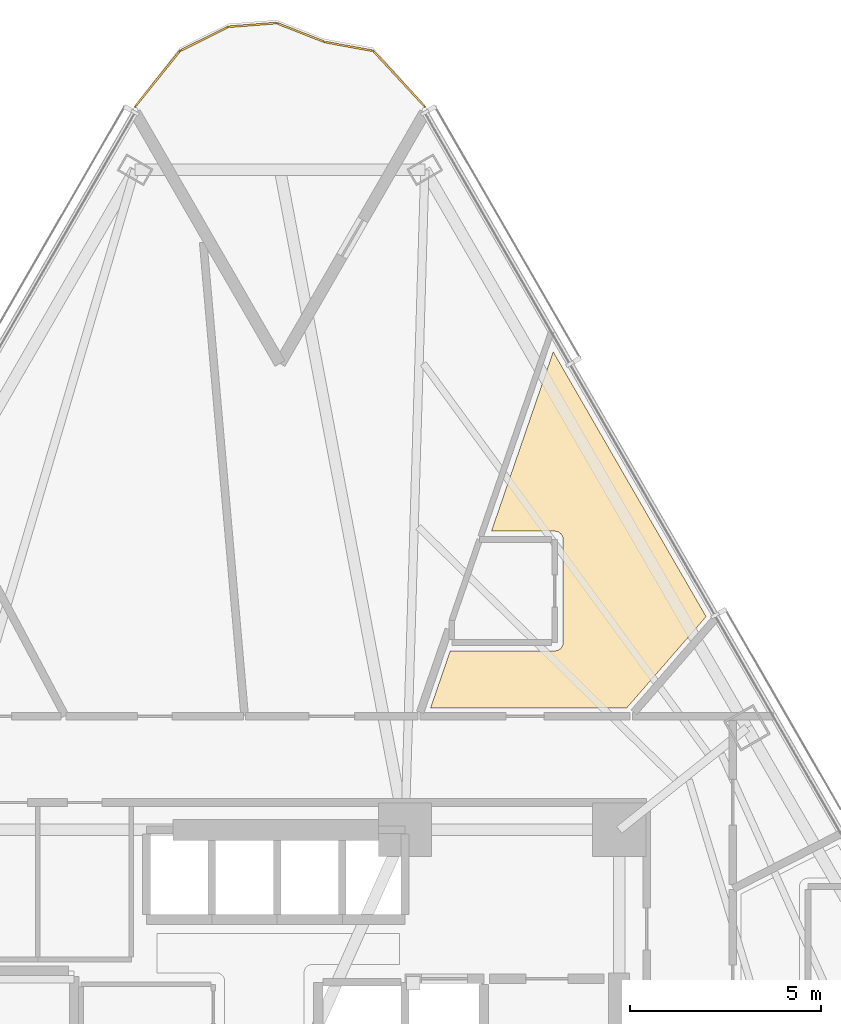
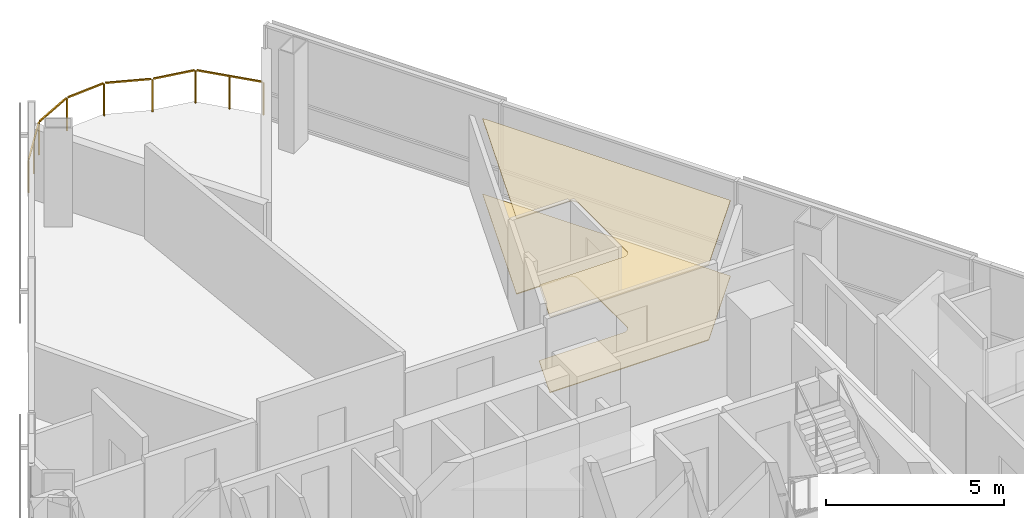
# One storey, part 18 of 18: 2 coverings, 1 railing.
"""IFC4 building model written with IfcOpenShell, lengths in metres."""

from ifc_helpers import new_model, si_unit, direction, frame, origin, origin_2d, place, context, subcontext, project, spatial, polyline, rectangle, outline, extrude, material, layer, layer_set, type_object, element, save


model = new_model("IFC4")

# Units and contexts
model_context = context("Model", 3, precision=1e-05, world=origin(), true_north=direction((0.0, 1.0)))
body_context = subcontext(model_context, "Body", "Model", "MODEL_VIEW")
ifc_project = project(units=[si_unit("LENGTHUNIT", "METRE"), si_unit("AREAUNIT", "SQUARE_METRE"), si_unit("VOLUMEUNIT", "CUBIC_METRE"), si_unit("PLANEANGLEUNIT", "RADIAN"), si_unit("MASSUNIT", "GRAM", prefix="KILO")], contexts=[model_context])

# Site, building, storey
site_placement = place(None, origin())
site = spatial("IfcSite", under=ifc_project, at=site_placement, CompositionType="ELEMENT")
building_placement = place(site_placement, origin())
building = spatial("IfcBuilding", under=site, at=building_placement, Name="Tharavind Bronze Gate", CompositionType="ELEMENT")
storey_placement = place(building_placement, frame((0.0, 0.0, 38.64990234375)))
storey = spatial("IfcBuildingStorey", under=building, at=storey_placement, Name="L08", CompositionType="ELEMENT", Elevation=38.64990234375)

# Coverings
ifc_material_1 = material(Name="Engineered Oak & Carpet Tile", Category="wood")
ifc_layer_1 = layer(ifc_material_1, 0.02490234375)
ifc_layer_set_1 = layer_set([ifc_layer_1], Name="Engineered Oak & Carpet Tile")
covering_type_1 = type_object("IfcCoveringType", Name="ENGINEERED TIMBER FLOORING", PredefinedType="FLOORING", material=ifc_layer_set_1)
covering_1_placement = place(storey_placement, origin())
element("IfcCovering", 1, at=covering_1_placement, inside=storey, type_object=covering_type_1, Name="L08-RM-03 floor finish", PredefinedType="FLOORING", context=body_context, shape_type="SweptSolid", body=[
    extrude(outline(polyline([(9.0966796875, 10.800048828125), (11.1796875, 13.1962890625), (7.168701171875, 20.1435546875), (5.548095703125, 15.43701171875), (7.208251953125, 15.43701171875), (7.22998046875, 15.43603515625), (7.251220703125, 15.432861328125), (7.272216796875, 15.427490234375), (7.29248046875, 15.42041015625), (7.31201171875, 15.4111328125), (7.33056640625, 15.39990234375), (7.347900390625, 15.38720703125), (7.364013671875, 15.37255859375), (7.37841796875, 15.356689453125), (7.391357421875, 15.33935546875), (7.40234375, 15.32080078125), (7.41162109375, 15.30126953125), (7.4189453125, 15.281005859375), (7.424072265625, 15.260009765625), (7.42724609375, 15.238525390625), (7.42822265625, 15.217041015625), (7.42822265625, 12.51708984375), (7.42724609375, 12.49560546875), (7.424072265625, 12.47412109375), (7.4189453125, 12.453125), (7.41162109375, 12.432861328125), (7.40234375, 12.413330078125), (7.391357421875, 12.39501953125), (7.37841796875, 12.37744140625), (7.364013671875, 12.361572265625), (7.347900390625, 12.346923828125), (7.33056640625, 12.334228515625), (7.31201171875, 12.322998046875), (7.29248046875, 12.313720703125), (7.272216796875, 12.306396484375), (7.251220703125, 12.30126953125), (7.22998046875, 12.298095703125), (7.208251953125, 12.297119140625), (4.50830078125, 12.297119140625), (4.48681640625, 12.298095703125), (4.46826171875, 12.30078125), (3.951416015625, 10.800048828125), (9.0966796875, 10.800048828125)])), origin(), (0.0, 0.0, 1.0), 0.025146484375),
])
ifc_material_2 = material(Name="Acoustic Gypsum Board", Category="gypsum")
ifc_layer_2 = layer(ifc_material_2, 0.030029296875)
ifc_layer_set_2 = layer_set([ifc_layer_2], Name="Acoustic Gypsum Board")
covering_type_2 = type_object("IfcCoveringType", Name="GYPSUM SUSPENDED CEILING", PredefinedType="CEILING", material=ifc_layer_set_2)
covering_2_placement = place(storey_placement, frame((0.0, 0.0, 2.5751953125)))
element("IfcCovering", 2, at=covering_2_placement, inside=storey, type_object=covering_type_2, Name="L08-RM-03 suspended ceiling", PredefinedType="CEILING", context=body_context, shape_type="SweptSolid", body=[
    extrude(outline(polyline([(9.0966796875, 10.800048828125), (11.1796875, 13.1962890625), (7.168701171875, 20.1435546875), (5.548095703125, 15.43701171875), (7.208251953125, 15.43701171875), (7.22998046875, 15.43603515625), (7.251220703125, 15.432861328125), (7.272216796875, 15.427490234375), (7.29248046875, 15.42041015625), (7.31201171875, 15.4111328125), (7.33056640625, 15.39990234375), (7.347900390625, 15.38720703125), (7.364013671875, 15.37255859375), (7.37841796875, 15.356689453125), (7.391357421875, 15.33935546875), (7.40234375, 15.32080078125), (7.41162109375, 15.30126953125), (7.4189453125, 15.281005859375), (7.424072265625, 15.260009765625), (7.42724609375, 15.238525390625), (7.42822265625, 15.217041015625), (7.42822265625, 12.51708984375), (7.42724609375, 12.49560546875), (7.424072265625, 12.47412109375), (7.4189453125, 12.453125), (7.41162109375, 12.432861328125), (7.40234375, 12.413330078125), (7.391357421875, 12.39501953125), (7.37841796875, 12.37744140625), (7.364013671875, 12.361572265625), (7.347900390625, 12.346923828125), (7.33056640625, 12.334228515625), (7.31201171875, 12.322998046875), (7.29248046875, 12.313720703125), (7.272216796875, 12.306396484375), (7.251220703125, 12.30126953125), (7.22998046875, 12.298095703125), (7.208251953125, 12.297119140625), (4.50830078125, 12.297119140625), (4.48681640625, 12.298095703125), (4.46826171875, 12.30078125), (3.951416015625, 10.800048828125), (9.0966796875, 10.800048828125)])), origin(), (0.0, 0.0, 1.0), 0.034912109375),
])

# Railing
ifc_material_3 = material(Name="Bronze Cap & Laminated Glass", Category="glass")
railing_type = type_object("IfcRailingType", Name="TERRACE GLASS GUARD RAILING 1150", PredefinedType="GUARDRAIL", material=ifc_material_3)
railing_placement = place(storey_placement, frame((-3.800048828125, 26.578125, 0.0)))
element("IfcRailing", 3, at=railing_placement, inside=storey, type_object=railing_type, Name="L08 tree balcony guard railing", PredefinedType="GUARDRAIL", context=body_context, shape_type="SweptSolid", body=[
    extrude(rectangle(XDim=0.048095703125, YDim=0.048095703125, at=origin_2d()), frame((0.02001953125, 0.02490234375, 1.1259765625), z_axis=(0.627706650624, 0.778449973192, 0.0), x_axis=(-0.778449973192, 0.627706650624, 0.0)), (0.0, 0.0, 1.0), 1.8115234375),
    extrude(rectangle(XDim=0.048095703125, YDim=0.048095703125, at=origin_2d()), frame((1.205810546875, 1.47412109375, 1.1259765625), z_axis=(0.89511626958, 0.445832775751, 0.0), x_axis=(-0.445832775751, 0.89511626958, 0.0)), (0.0, 0.0, 1.0), 1.35107421875),
    extrude(rectangle(XDim=0.048095703125, YDim=0.048095703125, at=origin_2d()), frame((2.475830078125, 2.09326171875, 1.1259765625), z_axis=(0.996951873955, 0.078018978571, 0.0), x_axis=(-0.078018978571, 0.996951873955, 0.0)), (0.0, 0.0, 1.0), 1.20654296875),
    extrude(rectangle(XDim=0.048095703125, YDim=0.048095703125, at=origin_2d()), frame((3.740234375, 2.17822265625, 1.1259765625), z_axis=(0.930539907569, -0.366190497448, 0.0), x_axis=(0.366190497448, 0.930539907569, 0.0)), (0.0, 0.0, 1.0), 1.29736328125),
    extrude(rectangle(XDim=0.048095703125, YDim=0.048095703125, at=origin_2d()), frame((5.0087890625, 1.685546875, 1.1259765625), z_axis=(0.983711769564, -0.179753037307, 0.0), x_axis=(0.179753037307, 0.983711769564, 0.0)), (0.0, 0.0, 1.0), 1.2236328125),
    extrude(rectangle(XDim=0.048095703125, YDim=0.048095703125, at=origin_2d()), frame((6.265625, 1.4365234375, 1.1259765625), z_axis=(0.680592067339, -0.732662567541, 0.0), x_axis=(0.732662567541, 0.680592067339, 0.0)), (0.0, 0.0, 1.0), 1.9287109375),
    extrude(rectangle(XDim=0.0400390625, YDim=0.0400390625, at=origin_2d()), origin(), (0.0, 0.0, 1.0), 1.097900390625),
    extrude(rectangle(XDim=0.0400390625, YDim=0.0400390625, at=origin_2d()), frame((0.588623046875, 0.72998046875, 0.0)), (0.0, 0.0, 1.0), 1.097900390625),
    extrude(rectangle(XDim=0.0400390625, YDim=0.0400390625, at=origin_2d()), frame((1.17724609375, 1.4599609375, 0.0)), (0.0, 0.0, 1.0), 1.097900390625),
    extrude(rectangle(XDim=0.0400390625, YDim=0.0400390625, at=origin_2d()), frame((2.44384765625, 2.0908203125, 0.0)), (0.0, 0.0, 1.0), 1.097900390625),
    extrude(rectangle(XDim=0.0400390625, YDim=0.0400390625, at=origin_2d()), frame((3.71044921875, 2.18994140625, 0.0)), (0.0, 0.0, 1.0), 1.097900390625),
    extrude(rectangle(XDim=0.0400390625, YDim=0.0400390625, at=origin_2d()), frame((4.977294921875, 1.69140625, 0.0)), (0.0, 0.0, 1.0), 1.097900390625),
    extrude(rectangle(XDim=0.0400390625, YDim=0.0400390625, at=origin_2d()), frame((6.243896484375, 1.4599609375, 0.0)), (0.0, 0.0, 1.0), 1.097900390625),
    extrude(rectangle(XDim=0.0400390625, YDim=0.0400390625, at=origin_2d()), frame((6.921875, 0.72998046875, 0.0)), (0.0, 0.0, 1.0), 1.097900390625),
    extrude(rectangle(XDim=0.0400390625, YDim=0.0400390625, at=origin_2d()), frame((7.60009765625, 0.0, 0.0)), (0.0, 0.0, 1.0), 1.097900390625),
])

save(model, "model.ifc")
